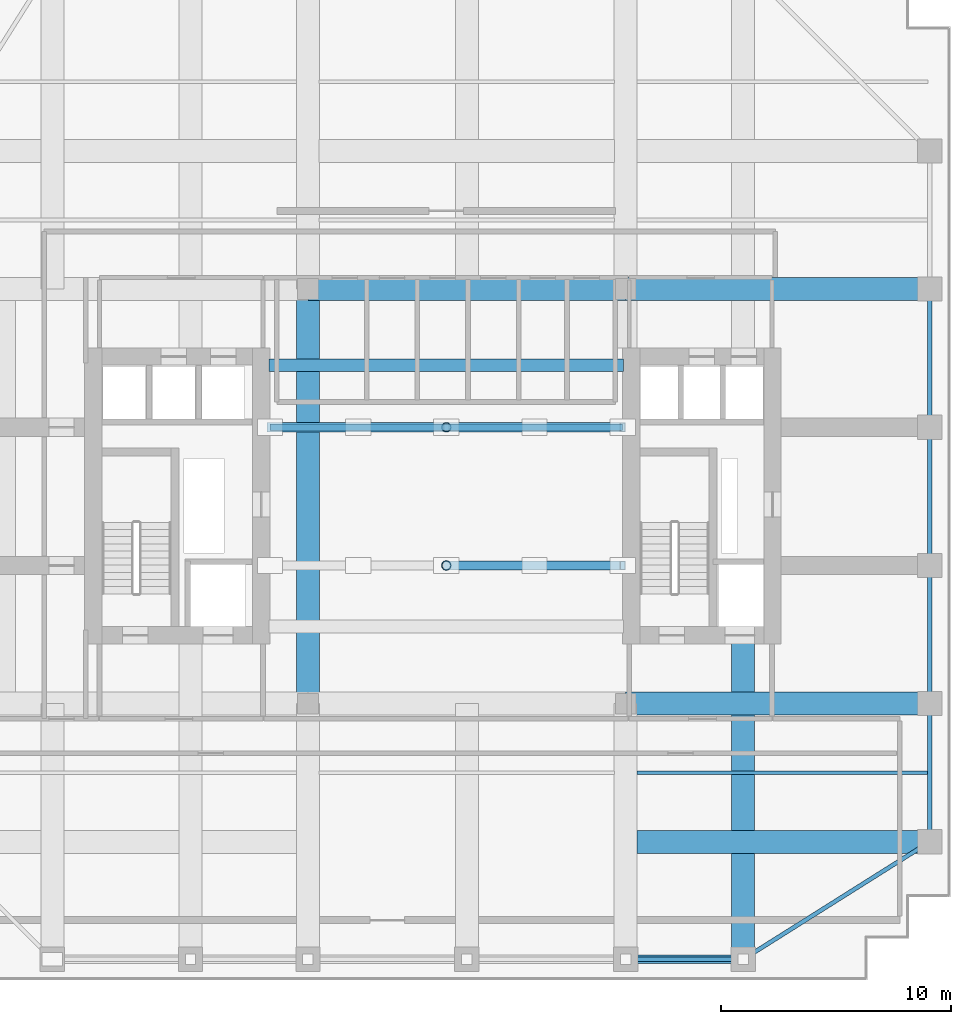
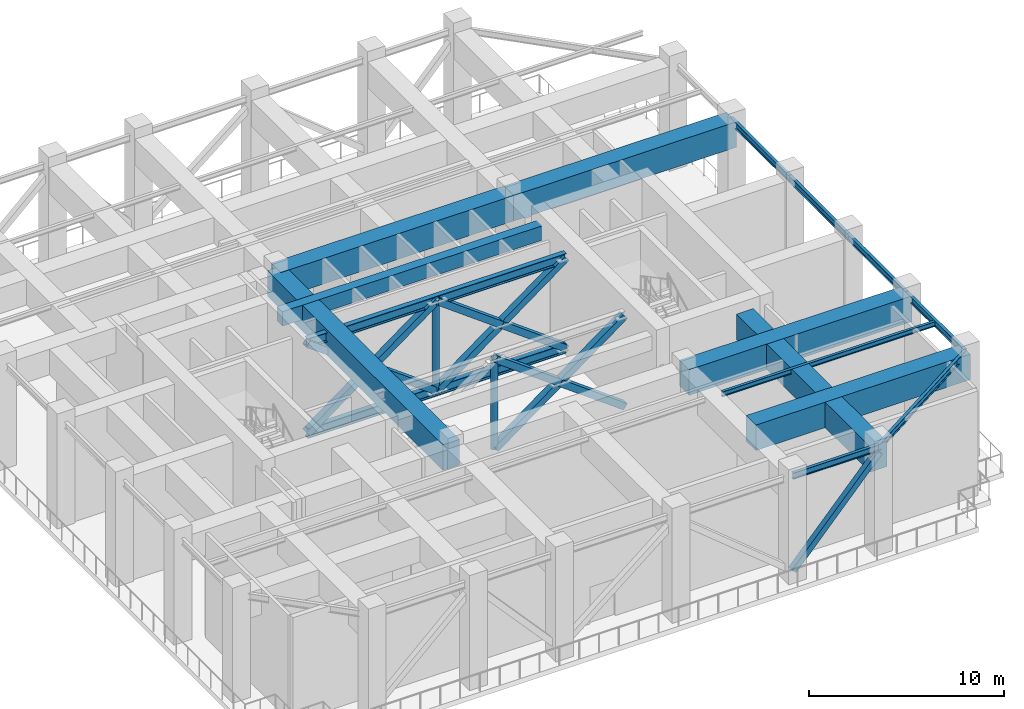
# One storey, part 2 of 10: 14 beams, 14 members.
"""IFC4 building model written with IfcOpenShell, lengths in metres."""

from ifc_helpers import new_model, si_unit, direction, frame, origin, origin_2d, place, context, subcontext, project, spatial, rectangle, hollow_rectangle, hollow_circle, i_section, extrude, source, transform, mapped, material, material_profile, profile_set, type_object, element, save


model = new_model("IFC4")

# Units and contexts
model_context = context("Model", 3, precision=1e-05, world=origin(), true_north=direction((0.0, 1.0)))
body_context = subcontext(model_context, "Body", "Model", "MODEL_VIEW")
ifc_project = project(units=[si_unit("LENGTHUNIT", "METRE"), si_unit("AREAUNIT", "SQUARE_METRE"), si_unit("VOLUMEUNIT", "CUBIC_METRE"), si_unit("PLANEANGLEUNIT", "RADIAN"), si_unit("MASSUNIT", "GRAM", prefix="KILO")], contexts=[model_context])

# Site, building, storey
site_placement = place(None, origin())
site = spatial("IfcSite", under=ifc_project, at=site_placement, CompositionType="ELEMENT")
building_placement = place(site_placement, origin())
building = spatial("IfcBuilding", under=site, at=building_placement, Name="Khoralis Quay Care Tower", CompositionType="ELEMENT")
storey_placement = place(building_placement, frame((0.0, 0.0, 148.5)))
storey = spatial("IfcBuildingStorey", under=building, at=storey_placement, Name="L39", CompositionType="ELEMENT", Elevation=148.5)

# Beams
ifc_material_1 = material(Name="Concrete C65/80", Category="concrete")
ifc_material_profile_1 = material_profile(ifc_material_1, rectangle(XDim=0.550048828125, YDim=0.89990234375, at=origin_2d()), Name="Concrete C65/80")
ifc_profile_set_1 = profile_set([ifc_material_profile_1], Name="Concrete C65/80")
beam_type_1 = type_object("IfcBeamType", Name="CB-RC550X900", PredefinedType="LINTEL", material=ifc_profile_set_1)
shared_shape_1 = source(origin(), body_context, "Body", "SweptSolid", [
    extrude(rectangle(XDim=0.550048828125, YDim=0.89990234375, at=origin_2d()), origin(), (0.0, 0.0, 1.0), 15.380126953125),
])
beam_1_placement = place(storey_placement, frame((15.419921875, 26.699951171875, 6.10009765625), z_axis=(1.0, 0.0, 0.0), x_axis=(0.0, 1.0, 0.0)))
element("IfcBeam", 1, at=beam_1_placement, inside=storey, type_object=beam_type_1, Name="L39 North Core Coupling Lintel", PredefinedType="LINTEL", context=body_context, shape_type="MappedRepresentation", body=[
    mapped(shared_shape_1, transform((0.0, 0.0, 0.0), scale=1.0)),
])
ifc_material_2 = material(Name="Concrete C80/95", Category="concrete")
ifc_material_profile_2 = material_profile(ifc_material_2, rectangle(XDim=1.0, YDim=1.60009765625, at=origin_2d()), Name="Concrete C80/95")
ifc_profile_set_2 = profile_set([ifc_material_profile_2], Name="Concrete C80/95")
beam_type_2 = type_object("IfcBeamType", Name="TG-RC1000X1600", PredefinedType="BEAM", material=ifc_profile_set_2)
shared_shape_2 = source(origin(), body_context, "Body", "SweptSolid", [
    extrude(rectangle(XDim=1.0, YDim=1.60009765625, at=origin_2d()), origin(), (0.0, 0.0, 1.0), 13.7998046875),
])
beam_2_placement = place(storey_placement, frame((17.10009765625, 30.0, 5.75), z_axis=(1.0, 0.0, 0.0), x_axis=(0.0, 1.0, 0.0)))
element("IfcBeam", 2, at=beam_2_placement, inside=storey, type_object=beam_type_2, Name="L39 Transfer girder BM-TGCC-L39-300", PredefinedType="BEAM", context=body_context, shape_type="MappedRepresentation", body=[
    mapped(shared_shape_2, transform((0.0, 0.0, 0.0), scale=1.0)),
])
shared_shape_3 = source(origin(), body_context, "Body", "SweptSolid", [
    extrude(rectangle(XDim=1.0, YDim=1.60009765625, at=origin_2d()), origin(), (0.0, 0.0, 1.0), 18.0),
])
beam_3_placement = place(storey_placement, frame((17.10009765625, 12.0, 5.75), z_axis=(0.0, 1.0, 0.0), x_axis=(-1.0, 0.0, 0.0)))
element("IfcBeam", 3, at=beam_3_placement, inside=storey, type_object=beam_type_2, Name="L39 Transfer girder BM-TGSW-L39", PredefinedType="BEAM", context=body_context, shape_type="MappedRepresentation", body=[
    mapped(shared_shape_3, transform((0.0, 0.0, 0.0), scale=1.0)),
])
ifc_material_3 = material(Name="Steel S355", Category="steel")
ifc_material_profile_3 = material_profile(ifc_material_3, i_section(OverallWidth=0.179931640625, OverallDepth=0.39990234375, WebThickness=0.008544921875, FlangeThickness=0.013427734375, FilletRadius=0.02099609375, at=origin_2d()), Name="Steel S355")
ifc_profile_set_3 = profile_set([ifc_material_profile_3], Name="Steel S355")
beam_type_3 = type_object("IfcBeamType", Name="BM-IPE400", PredefinedType="SPANDREL", material=ifc_profile_set_3)
shared_shape_4 = source(origin(), body_context, "Body", "SweptSolid", [
    extrude(i_section(OverallWidth=0.179931640625, OverallDepth=0.39990234375, WebThickness=0.008544921875, FlangeThickness=0.013427734375, FilletRadius=0.02099609375, at=origin_2d()), origin(), (0.0, 0.0, 1.0), 6.0),
])
for number, where, z_axis, x_axis, name in (
    (4, (44.10009765625, 6.0, 6.35009765625), (0.0, 1.0, 0.0), (-1.0, 0.0, 0.0), "BM-TSP-L39-16"),
    (5, (44.10009765625, 12.0, 6.35009765625), (0.0, 1.0, 0.0), (-1.0, 0.0, 0.0), "BM-TSP-L39-17"),
    (6, (44.10009765625, 18.0, 6.35009765625), (0.0, 1.0, 0.0), (-1.0, 0.0, 0.0), "BM-TSP-L39-18"),
    (7, (44.10009765625, 24.0, 6.35009765625), (0.0, 1.0, 0.0), (-1.0, 0.0, 0.0), "BM-TSP-L39-19"),
):
    element("IfcBeam", number, at=place(storey_placement, frame(where, z_axis=z_axis, x_axis=x_axis)), inside=storey, type_object=beam_type_3, Name=name, PredefinedType="SPANDREL", context=body_context, shape_type="MappedRepresentation", body=[
        mapped(shared_shape_4, transform((0.0, 0.0, 0.0), scale=1.0)),
    ])
shared_shape_5 = source(origin(), body_context, "Body", "SweptSolid", [
    extrude(i_section(OverallWidth=0.179931640625, OverallDepth=0.39990234375, WebThickness=0.008544921875, FlangeThickness=0.013427734375, FilletRadius=0.02099609375, at=origin_2d()), origin(), (0.0, 0.0, 1.0), 5.10009765625),
])
beam_4_placement = place(storey_placement, frame((30.89990234375, 0.89990234375, 6.35009765625), z_axis=(1.0, 0.0, 0.0), x_axis=(0.0, 1.0, 0.0)))
element("IfcBeam", 8, at=beam_4_placement, inside=storey, type_object=beam_type_3, Name="BM-TSP-L39-05", PredefinedType="SPANDREL", context=body_context, shape_type="MappedRepresentation", body=[
    mapped(shared_shape_5, transform((0.0, 0.0, 0.0), scale=1.0)),
])
shared_shape_6 = source(origin(), body_context, "Body", "SweptSolid", [
    extrude(i_section(OverallWidth=0.179931640625, OverallDepth=0.39990234375, WebThickness=0.008544921875, FlangeThickness=0.013427734375, FilletRadius=0.02099609375, at=origin_2d()), origin(), (0.0, 0.0, 1.0), 9.572021484375),
])
beam_5_placement = place(storey_placement, frame((36.0, 0.89990234375, 6.35009765625), z_axis=(0.846231136359, 0.532815975602, 0.0), x_axis=(-0.532815975602, 0.846231136359, 0.0)))
element("IfcBeam", 9, at=beam_5_placement, inside=storey, type_object=beam_type_3, Name="BM-TCR-L39-22", PredefinedType="SPANDREL", context=body_context, shape_type="MappedRepresentation", body=[
    mapped(shared_shape_6, transform((0.0, 0.0, 0.0), scale=1.0)),
])
shared_shape_7 = source(origin(), body_context, "Body", "SweptSolid", [
    extrude(rectangle(XDim=1.0, YDim=1.60009765625, at=origin_2d()), origin(), (0.0, 0.0, 1.0), 12.712158203125),
])
beam_6_placement = place(storey_placement, frame((31.387939453125, 6.0, 5.75), z_axis=(1.0, 0.0, 0.0), x_axis=(0.0, 1.0, 0.0)))
element("IfcBeam", 10, at=beam_6_placement, inside=storey, type_object=beam_type_2, Name="L39 Transfer girder BM-TGXE-L39-60", PredefinedType="BEAM", context=body_context, shape_type="MappedRepresentation", body=[
    mapped(shared_shape_7, transform((0.0, 0.0, 0.0), scale=1.0)),
])
shared_shape_8 = source(origin(), body_context, "Body", "SweptSolid", [
    extrude(rectangle(XDim=1.0, YDim=1.60009765625, at=origin_2d()), origin(), (0.0, 0.0, 1.0), 13.2001953125),
])
for number, where, z_axis, x_axis, name in (
    (11, (30.89990234375, 12.0, 5.75), (1.0, 0.0, 0.0), (0.0, 1.0, 0.0), "L39 Transfer girder BM-TGXE-L39-120"),
    (12, (30.89990234375, 30.0, 5.75), (1.0, 0.0, 0.0), (0.0, 1.0, 0.0), "L39 Transfer girder BM-TGXE-L39-300"),
):
    element("IfcBeam", number, at=place(storey_placement, frame(where, z_axis=z_axis, x_axis=x_axis)), inside=storey, type_object=beam_type_2, Name=name, PredefinedType="BEAM", context=body_context, shape_type="MappedRepresentation", body=[
        mapped(shared_shape_8, transform((0.0, 0.0, 0.0), scale=1.0)),
    ])
shared_shape_9 = source(origin(), body_context, "Body", "SweptSolid", [
    extrude(rectangle(XDim=1.0, YDim=1.60009765625, at=origin_2d()), origin(), (0.0, 0.0, 1.0), 13.7021484375),
])
beam_7_placement = place(storey_placement, frame((36.0, 0.89990234375, 5.75), z_axis=(0.0, 1.0, 0.0), x_axis=(-1.0, 0.0, 0.0)))
element("IfcBeam", 13, at=beam_7_placement, inside=storey, type_object=beam_type_2, Name="L39 Transfer girder BM-TGYS-L39-360", PredefinedType="BEAM", context=body_context, shape_type="MappedRepresentation", body=[
    mapped(shared_shape_9, transform((0.0, 0.0, 0.0), scale=1.0)),
])
ifc_material_profile_4 = material_profile(ifc_material_3, i_section(OverallWidth=0.1650390625, OverallDepth=0.31005859375, WebThickness=0.005859375, FlangeThickness=0.009765625, FilletRadius=0.011962890625, at=origin_2d()), Name="Steel S355")
ifc_profile_set_4 = profile_set([ifc_material_profile_4], Name="Steel S355")
beam_type_4 = type_object("IfcBeamType", Name="BM-W310X39", PredefinedType="JOIST", material=ifc_profile_set_4)
shared_shape_10 = source(origin(), body_context, "Body", "SweptSolid", [
    extrude(i_section(OverallWidth=0.1650390625, OverallDepth=0.31005859375, WebThickness=0.005859375, FlangeThickness=0.009765625, FilletRadius=0.011962890625, at=origin_2d()), origin(), (0.0, 0.0, 1.0), 12.635986328125),
])
beam_8_placement = place(storey_placement, frame((31.387939453125, 9.0, 6.39501953125), z_axis=(1.0, 0.0, 0.0), x_axis=(0.0, 1.0, 0.0)))
element("IfcBeam", 14, at=beam_8_placement, inside=storey, type_object=beam_type_4, Name="BM-TJS-L39-26", PredefinedType="JOIST", context=body_context, shape_type="MappedRepresentation", body=[
    mapped(shared_shape_10, transform((0.0, 0.0, 0.0), scale=1.0)),
])

# Members
ifc_material_profile_5 = material_profile(ifc_material_3, hollow_circle(Radius=0.203125, WallThickness=0.02001953125, at=origin_2d()), Name="Steel S355")
ifc_profile_set_5 = profile_set([ifc_material_profile_5], Name="Steel S355")
member_type_1 = type_object("IfcMemberType", Name="ST-CHS406X20", PredefinedType="STRUT", material=ifc_profile_set_5)
shared_shape_11 = source(origin(), body_context, "Body", "SweptSolid", [
    extrude(hollow_circle(Radius=0.203125, WallThickness=0.02001953125, at=origin_2d()), origin(), (0.0, 0.0, 1.0), 5.650146484375),
])
for number, where, z_axis, x_axis, name in (
    (15, (23.110107421875, 18.0, 0.449951171875), (0.0, 0.0, 1.0), (1.0, 0.0, 0.0), "MBR-L39-VST-18"),
    (16, (23.110107421875, 24.0, 0.449951171875), (0.0, 0.0, 1.0), (1.0, 0.0, 0.0), "MBR-L39-VST-24"),
):
    element("IfcMember", number, at=place(storey_placement, frame(where, z_axis=z_axis, x_axis=x_axis)), inside=storey, type_object=member_type_1, Name=name, PredefinedType="STRUT", context=body_context, shape_type="MappedRepresentation", body=[
        mapped(shared_shape_11, transform((0.0, 0.0, 0.0), scale=1.0)),
    ])
ifc_material_profile_6 = material_profile(ifc_material_3, hollow_rectangle(XDim=0.35009765625, YDim=0.35009765625, WallThickness=0.01611328125, at=origin_2d()), Name="Steel S355")
ifc_profile_set_6 = profile_set([ifc_material_profile_6], Name="Steel S355")
member_type_2 = type_object("IfcMemberType", Name="BR-RHS350X350X16", PredefinedType="BRACE", material=ifc_profile_set_6)
shared_shape_12 = source(origin(), body_context, "Body", "SweptSolid", [
    extrude(hollow_rectangle(XDim=0.35009765625, YDim=0.35009765625, WallThickness=0.01611328125, at=origin_2d()), origin(), (0.0, 0.0, 1.0), 7.611572265625),
])
member_1_placement = place(storey_placement, frame((30.89990234375, 0.89990234375, 0.449951171875), z_axis=(0.670050319951, 0.0, 0.742315679973), x_axis=(0.0, 1.0, 0.0)))
element("IfcMember", 17, at=member_1_placement, inside=storey, type_object=member_type_2, Name="L39 Belt truss diagonal 5", PredefinedType="BRACE", context=body_context, shape_type="MappedRepresentation", body=[
    mapped(shared_shape_12, transform((0.0, 0.0, 0.0), scale=1.0)),
])
ifc_material_profile_7 = material_profile(ifc_material_3, i_section(OverallWidth=0.300048828125, OverallDepth=0.60009765625, WebThickness=0.015380859375, FlangeThickness=0.030029296875, FilletRadius=0.027099609375, at=origin_2d()), Name="Steel S355")
ifc_profile_set_7 = profile_set([ifc_material_profile_7], Name="Steel S355")
member_type_3 = type_object("IfcMemberType", Name="CH-HEB600", PredefinedType="CHORD", material=ifc_profile_set_7)
shared_shape_13 = source(origin(), body_context, "Body", "SweptSolid", [
    extrude(i_section(OverallWidth=0.300048828125, OverallDepth=0.60009765625, WebThickness=0.015380859375, FlangeThickness=0.030029296875, FilletRadius=0.027099609375, at=origin_2d()), origin(), (0.0, 0.0, 1.0), 15.320068359375),
])
for number, where, z_axis, x_axis, name in (
    (18, (15.449951171875, 24.0, 0.449951171875), (1.0, 0.0, 0.0), (0.0, 1.0, 0.0), "MBR-L39-CHB-24"),
    (19, (15.449951171875, 24.0, 6.10009765625), (1.0, 0.0, 0.0), (0.0, 1.0, 0.0), "MBR-L39-CHT-24"),
):
    element("IfcMember", number, at=place(storey_placement, frame(where, z_axis=z_axis, x_axis=x_axis)), inside=storey, type_object=member_type_3, Name=name, PredefinedType="CHORD", context=body_context, shape_type="MappedRepresentation", body=[
        mapped(shared_shape_13, transform((0.0, 0.0, 0.0), scale=1.0)),
    ])
ifc_material_4 = material(Name="Steel S460", Category="steel")
ifc_material_profile_8 = material_profile(ifc_material_4, hollow_rectangle(XDim=0.39990234375, YDim=0.39990234375, WallThickness=0.02001953125, at=origin_2d()), Name="Steel S460")
ifc_profile_set_8 = profile_set([ifc_material_profile_8], Name="Steel S460")
member_type_4 = type_object("IfcMemberType", Name="BR-RHS400X400X20", PredefinedType="BRACE", material=ifc_profile_set_8)
shared_shape_14 = source(origin(), body_context, "Body", "SweptSolid", [
    extrude(hollow_rectangle(XDim=0.39990234375, YDim=0.39990234375, WallThickness=0.02001953125, at=origin_2d()), origin(), (0.0, 0.0, 1.0), 9.5185546875),
])
member_2_placement = place(storey_placement, frame((15.449951171875, 24.0, 0.449951171875), z_axis=(0.804763700125, 0.0, 0.593595305711), x_axis=(0.0, 1.0, 0.0)))
element("IfcMember", 20, at=member_2_placement, inside=storey, type_object=member_type_4, Name="L39 Outrigger Truss Continuous Diagonal 5", PredefinedType="BRACE", context=body_context, shape_type="MappedRepresentation", body=[
    mapped(shared_shape_14, transform((0.0, 0.0, 0.0), scale=1.0)),
])
shared_shape_15 = source(origin(), body_context, "Body", "SweptSolid", [
    extrude(hollow_rectangle(XDim=0.39990234375, YDim=0.39990234375, WallThickness=0.02001953125, at=origin_2d()), origin(), (0.0, 0.0, 1.0), 4.749267578125),
])
for number, where, z_axis, x_axis, name in (
    (21, (26.947998046875, 18.0, 3.26904296875), (0.804767607978, 0.0, -0.593590007622), (0.0, 1.0, 0.0), "L39 Outrigger Split Diagonal 4B"),
    (22, (15.449951171875, 24.0, 6.10009765625), (0.804767607978, 0.0, -0.593590007622), (0.0, 1.0, 0.0), "L39 Outrigger Split Diagonal 6A"),
    (23, (19.2880859375, 24.0, 3.26904296875), (0.804767607978, 0.0, -0.593590007622), (0.0, 1.0, 0.0), "L39 Outrigger Split Diagonal 6B"),
    (24, (26.947998046875, 24.0, 3.26904296875), (0.804767607978, 0.0, -0.593590007622), (0.0, 1.0, 0.0), "L39 Outrigger Split Diagonal 8B"),
):
    element("IfcMember", number, at=place(storey_placement, frame(where, z_axis=z_axis, x_axis=x_axis)), inside=storey, type_object=member_type_4, Name=name, PredefinedType="BRACE", context=body_context, shape_type="MappedRepresentation", body=[
        mapped(shared_shape_15, transform((0.0, 0.0, 0.0), scale=1.0)),
    ])
shared_shape_16 = source(origin(), body_context, "Body", "SweptSolid", [
    extrude(hollow_rectangle(XDim=0.39990234375, YDim=0.39990234375, WallThickness=0.02001953125, at=origin_2d()), origin(), (0.0, 0.0, 1.0), 9.518310546875),
])
for number, where, z_axis, x_axis, name in (
    (25, (23.110107421875, 18.0, 0.449951171875), (0.804754662274, 0.0, 0.593607558534), (0.0, 1.0, 0.0), "L39 Outrigger Truss Continuous Diagonal 3"),
    (26, (23.110107421875, 24.0, 0.449951171875), (0.804754662274, 0.0, 0.593607558534), (0.0, 1.0, 0.0), "L39 Outrigger Truss Continuous Diagonal 7"),
):
    element("IfcMember", number, at=place(storey_placement, frame(where, z_axis=z_axis, x_axis=x_axis)), inside=storey, type_object=member_type_4, Name=name, PredefinedType="BRACE", context=body_context, shape_type="MappedRepresentation", body=[
        mapped(shared_shape_16, transform((0.0, 0.0, 0.0), scale=1.0)),
    ])
shared_shape_17 = source(origin(), body_context, "Body", "SweptSolid", [
    extrude(hollow_rectangle(XDim=0.39990234375, YDim=0.39990234375, WallThickness=0.02001953125, at=origin_2d()), origin(), (0.0, 0.0, 1.0), 4.7490234375),
])
for number, where, z_axis, x_axis, name in (
    (27, (23.110107421875, 18.0, 6.10009765625), (0.804749493846, 0.0, -0.593614565315), (0.0, 1.0, 0.0), "L39 Outrigger Split Diagonal 4A"),
    (28, (23.110107421875, 24.0, 6.10009765625), (0.804749493846, 0.0, -0.593614565315), (0.0, 1.0, 0.0), "L39 Outrigger Split Diagonal 8A"),
):
    element("IfcMember", number, at=place(storey_placement, frame(where, z_axis=z_axis, x_axis=x_axis)), inside=storey, type_object=member_type_4, Name=name, PredefinedType="BRACE", context=body_context, shape_type="MappedRepresentation", body=[
        mapped(shared_shape_17, transform((0.0, 0.0, 0.0), scale=1.0)),
    ])

save(model, "model.ifc")
